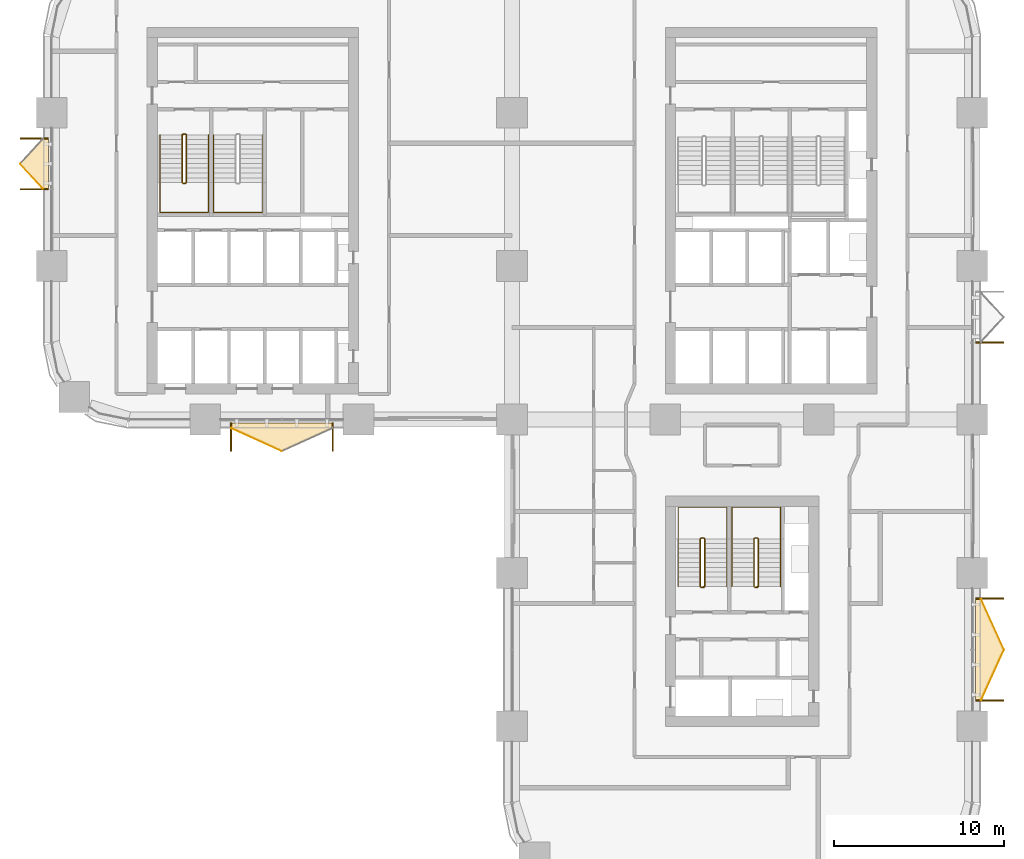
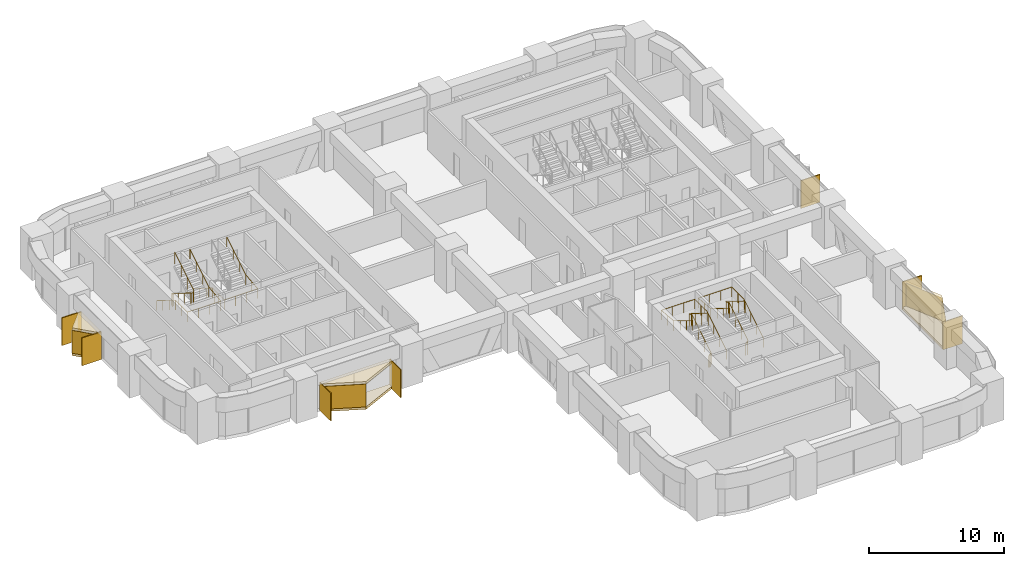
# One storey, part 17 of 18: 17 coverings, 7 railings.
"""IFC4 building model written with IfcOpenShell, lengths in metres."""

import ifcopenshell
import ifcopenshell.guid

model = None  # the IFC model being written
_history = None  # IfcOwnerHistory: only IFC2X3 demands one
_inside = {}  # id of a spatial element -> (the spatial element, [elements in it])
_under = {}  # id of a project, library or spatial element -> (it, [spatial elements below it])
_declared = {}  # id of a project -> (the project, [libraries it declares])
_typed = {}  # id of a type object -> (the type object, [elements of that type])
_made_of = {}  # id of a material, layer set ... -> (it, [elements and type objects made of it])


def new_model(schema):
    """Start an empty IFC model of exactly this schema.

    Asked for "IFC4X3", IfcOpenShell would pick the latest addendum, in which some entities
    have other attributes; the version numbers below select the first issue.
    IFC2X3 requires an IfcOwnerHistory on every rooted entity: one is made here for all.
    """
    global model, _history
    if schema == "IFC4X3":
        model = ifcopenshell.file(schema_version=(4, 3, 0, 0))
    else:
        model = ifcopenshell.file(schema=schema)
    _inside.clear()
    _under.clear()
    _declared.clear()
    _typed.clear()
    _made_of.clear()
    _history = None
    if model.schema == "IFC2X3":
        org = make("IfcOrganization", Name="unknown")
        user = make(
            "IfcPersonAndOrganization",
            ThePerson=make("IfcPerson", FamilyName="unknown"),
            TheOrganization=org,
        )
        app = make(
            "IfcApplication",
            ApplicationDeveloper=org,
            Version="unknown",
            ApplicationFullName="unknown",
            ApplicationIdentifier="unknown",
        )
        _history = make(
            "IfcOwnerHistory",
            OwningUser=user,
            OwningApplication=app,
            ChangeAction="ADDED",
            CreationDate=0,
        )
    return model


def make(cls, **values):
    """One entity of the class cls with the attributes given. An attribute that is None is left unset."""
    return model.create_entity(
        cls, **{name: value for name, value in values.items() if value is not None}
    )


def rooted(cls, **values):
    """An entity with a GlobalId (a new one), such as an element, a storey or a relation."""
    return make(cls, GlobalId=ifcopenshell.guid.new(), OwnerHistory=_history, **values)


def si_unit(unit_type, name, prefix=None):
    """IfcSIUnit, for example si_unit("LENGTHUNIT", "METRE", prefix="MILLI")."""
    return make("IfcSIUnit", UnitType=unit_type, Prefix=prefix, Name=name)


def assignment(units):
    """IfcUnitAssignment: the units of a project."""
    return None if units is None else make("IfcUnitAssignment", Units=units)


def point(xyz):
    """IfcCartesianPoint."""
    return None if xyz is None else make("IfcCartesianPoint", Coordinates=xyz)


def direction(xyz):
    """IfcDirection."""
    return None if xyz is None else make("IfcDirection", DirectionRatios=xyz)


def frame(location, z_axis=None, x_axis=None):
    """IfcAxis2Placement3D, a coordinate frame: its origin and axes. An axis left out is left unset."""
    return make(
        "IfcAxis2Placement3D",
        Location=point(location),
        Axis=direction(z_axis),
        RefDirection=direction(x_axis),
    )


def frame_2d(location, x_axis=None):
    """IfcAxis2Placement2D, a coordinate frame in the plane: its origin and x axis."""
    return make(
        "IfcAxis2Placement2D", Location=point(location), RefDirection=direction(x_axis)
    )


def origin():
    """The frame at (0, 0, 0) with its axes left unset."""
    return frame((0.0, 0.0, 0.0))


def origin_2d():
    """The frame at (0, 0) in the plane with its x axis left unset."""
    return frame_2d((0.0, 0.0))


def place(relative_to, where):
    """IfcLocalPlacement: puts the frame where relative to a parent placement (None: the world)."""
    return make(
        "IfcLocalPlacement", PlacementRelTo=relative_to, RelativePlacement=where
    )


def context(
    kind, dimensions, precision=None, world=None, true_north=None, identifier=None
):
    """IfcGeometricRepresentationContext, for example the 3D "Model" context."""
    return make(
        "IfcGeometricRepresentationContext",
        ContextIdentifier=identifier,
        ContextType=kind,
        CoordinateSpaceDimension=dimensions,
        Precision=precision,
        WorldCoordinateSystem=world,
        TrueNorth=true_north,
    )


def subcontext(parent, identifier, kind, view, scale=None):
    """IfcGeometricRepresentationSubContext, for example "Body" below "Model"."""
    return make(
        "IfcGeometricRepresentationSubContext",
        ContextIdentifier=identifier,
        ContextType=kind,
        ParentContext=parent,
        TargetScale=scale,
        TargetView=view,
    )


def project(units=None, contexts=None):
    """IfcProject with its units and contexts."""
    return rooted(
        "IfcProject",
        Name="project",
        RepresentationContexts=contexts,
        UnitsInContext=assignment(units),
    )


def spatial(cls, under=None, at=None, **own):
    """A site, building, storey or space (cls), placed at a placement, below another one or the project."""
    s = rooted(cls, ObjectPlacement=at, **own)
    if under is not None:
        _under.setdefault(under.id(), (under, []))[1].append(s)
    return s


def polyline(points):
    """IfcPolyline through the points."""
    return make("IfcPolyline", Points=[point(p) for p in points])


def profile(cls, at=None, kind="AREA", **sizes):
    """A parametric profile (cls). Its sizes go by their IFC names, for example OverallWidth=200.0."""
    return make(cls, ProfileType=kind, Position=at, **sizes)


def rectangle(**sizes):
    """IfcRectangleProfileDef."""
    return profile("IfcRectangleProfileDef", **sizes)


def circle(**sizes):
    """IfcCircleProfileDef."""
    return profile("IfcCircleProfileDef", **sizes)


def outline(outer, holes=None, kind="AREA"):
    """IfcArbitraryClosedProfileDef: a profile drawn as a closed curve; with holes, ...WithVoids."""
    if holes is None:
        return make("IfcArbitraryClosedProfileDef", ProfileType=kind, OuterCurve=outer)
    return make(
        "IfcArbitraryProfileDefWithVoids",
        ProfileType=kind,
        OuterCurve=outer,
        InnerCurves=holes,
    )


def extrude(swept, where, along, depth):
    """IfcExtrudedAreaSolid: the profile swept, set in the frame where, extruded along a direction by depth."""
    return make(
        "IfcExtrudedAreaSolid",
        SweptArea=swept,
        Position=where,
        ExtrudedDirection=direction(along),
        Depth=depth,
    )


def shape(context_of_items, identifier, shape_type, items):
    """IfcShapeRepresentation: the items that make up one representation, for example the "Body"."""
    return make(
        "IfcShapeRepresentation",
        ContextOfItems=context_of_items,
        RepresentationIdentifier=identifier,
        RepresentationType=shape_type,
        Items=items,
    )


def material(Name=None, Category=None):
    """IfcMaterial."""
    return make("IfcMaterial", Name=Name, Category=Category)


def layer(
    of_material, thickness, ventilated=None, Name=None, Category=None, Priority=None
):
    """IfcMaterialLayer: one layer of a wall or slab, of a material (None: an air gap)."""
    return make(
        "IfcMaterialLayer",
        Material=of_material,
        LayerThickness=thickness,
        IsVentilated=ventilated,
        Name=Name,
        Category=Category,
        Priority=Priority,
    )


def layer_set(layers, Name=None):
    """IfcMaterialLayerSet."""
    return make("IfcMaterialLayerSet", MaterialLayers=layers, LayerSetName=Name)


def made_of(thing, what):
    """Note that an element or type object is made of a material, layer set ...; save() writes the relation."""
    if what is not None:
        _made_of.setdefault(what.id(), (what, []))[1].append(thing)
    return thing


def type_object(cls, material=None, **own):
    """A type object (cls), such as IfcWallType, which elements share."""
    return made_of(rooted(cls, **own), material)


def element(
    cls,
    number,
    at=None,
    inside=None,
    cuts=None,
    type_object=None,
    material=None,
    context=None,
    identifier="Body",
    shape_type=None,
    held_by="IfcProductDefinitionShape",
    body=None,
    shapes=None,
    **own,
):
    """One element of the class cls, such as IfcWall. Its Tag is "e" and its number.

    at: its placement. inside: the storey or other place that contains it. cuts: it is an
    opening in that element (IfcRelVoidsElement). A single representation is given by context,
    identifier, shape_type and body (its items); several are given by shapes. held_by: the class
    of the entity that holds the representations. save() writes the other relations.
    """
    e = rooted(cls, Tag="e%d" % number, ObjectPlacement=at, **own)
    if body is not None:
        shapes = [shape(context, identifier, shape_type, body)]
    if shapes is not None:
        e.Representation = make(held_by, Representations=shapes)
    if inside is not None:
        _inside.setdefault(inside.id(), (inside, []))[1].append(e)
    if cuts is not None:
        rooted(
            "IfcRelVoidsElement", RelatingBuildingElement=cuts, RelatedOpeningElement=e
        )
    if type_object is not None:
        _typed.setdefault(type_object.id(), (type_object, []))[1].append(e)
    return made_of(e, material)


def aggregate(whole, parts):
    """IfcRelAggregates: a whole, such as a stair, and the parts it consists of."""
    return rooted("IfcRelAggregates", RelatingObject=whole, RelatedObjects=parts)


def save(model, path):
    """Write the relations noted so far, then the file.

    IfcRelAggregates (storeys below a building ...), IfcRelContainedInSpatialStructure (elements
    in a storey), IfcRelDefinesByType, IfcRelAssociatesMaterial and IfcRelDeclares: one each for
    every whole, place, type object, material and project.
    """
    for whole, parts in _under.values():
        aggregate(whole, parts)
    for where, things in _inside.values():
        rooted(
            "IfcRelContainedInSpatialStructure",
            RelatedElements=things,
            RelatingStructure=where,
        )
    for kind, things in _typed.values():
        rooted("IfcRelDefinesByType", RelatedObjects=things, RelatingType=kind)
    for what, things in _made_of.values():
        rooted("IfcRelAssociatesMaterial", RelatedObjects=things, RelatingMaterial=what)
    for by, libraries in _declared.values():
        rooted("IfcRelDeclares", RelatingContext=by, RelatedDefinitions=libraries)
    model.write(path)


model = new_model("IFC4")

# Units and contexts
model_context = context("Model", 3, precision=1e-05, world=origin(), true_north=direction((0.0, 1.0)))
body_context = subcontext(model_context, "Body", "Model", "MODEL_VIEW")
ifc_project = project(units=[si_unit("LENGTHUNIT", "METRE"), si_unit("AREAUNIT", "SQUARE_METRE"), si_unit("VOLUMEUNIT", "CUBIC_METRE"), si_unit("PLANEANGLEUNIT", "RADIAN"), si_unit("MASSUNIT", "GRAM", prefix="KILO")], contexts=[model_context])

# Site, building, storey
site_placement = place(None, origin())
site = spatial("IfcSite", under=ifc_project, at=site_placement, CompositionType="ELEMENT")
building_placement = place(site_placement, origin())
building = spatial("IfcBuilding", under=site, at=building_placement, Name="Tessera Arch", CompositionType="ELEMENT")
storey_placement = place(building_placement, frame((0.0, 0.0, 89.199951171875)))
storey = spatial("IfcBuildingStorey", under=building, at=storey_placement, Name="L20", CompositionType="ELEMENT", Elevation=89.199951171875)

# Railings
ifc_material_1 = material(Name="Painted steel balustrade", Category="steel")
railing_type_1 = type_object("IfcRailingType", Name="Stair guard 1100", PredefinedType="GUARDRAIL", material=ifc_material_1)
railing_1_placement = place(storey_placement, frame((7.699951171875, 43.75, 0.0)))
element("IfcRailing", 1, at=railing_1_placement, inside=storey, type_object=railing_type_1, Name="L20 S2a stair guard 1", PredefinedType="GUARDRAIL", context=body_context, shape_type="SweptSolid", body=[
    extrude(circle(Radius=0.02392578125, at=origin_2d()), frame((-0.00390625, 0.0, 1.076171875), z_axis=(1.0, 0.0, 0.0), x_axis=(0.0, 1.0, 0.0)), (0.0, 0.0, 1.0), 0.158203125),
    extrude(circle(Radius=0.02392578125, at=origin_2d()), frame((0.153076171875, 0.000732421875, 1.073486328125), z_axis=(-0.743708266585, -0.185927066646, 0.642128600905), x_axis=(0.242535625036, -0.970142500145, 0.0)), (0.0, 0.0, 1.0), 0.277099609375),
    extrude(circle(Radius=0.02392578125, at=origin_2d()), frame((-0.050048828125, -0.046630859375, 1.246826171875), z_axis=(0.0, -0.851089632645, 0.525020415988), x_axis=(1.0, 0.0, 0.0)), (0.0, 0.0, 1.0), 3.2978515625),
    extrude(circle(Radius=0.02392578125, at=origin_2d()), frame((-0.052978515625, -2.84716796875, 2.97607421875), z_axis=(0.708833529934, -0.705375805398, 0.0), x_axis=(0.705375805398, 0.708833529934, 0.0)), (0.0, 0.0, 1.0), 0.07861328125),
    extrude(circle(Radius=0.02392578125, at=origin_2d()), frame((-0.00390625, -2.89990234375, 2.97607421875), z_axis=(1.0, 0.0, 0.0), x_axis=(0.0, 1.0, 0.0)), (0.0, 0.0, 1.0), 0.158203125),
    extrude(circle(Radius=0.02392578125, at=origin_2d()), frame((0.149169921875, -2.90087890625, 2.972412109375), z_axis=(0.26715648603, 0.26715648603, 0.925880566782), x_axis=(-0.707106781187, 0.707106781187, 0.0)), (0.0, 0.0, 1.0), 0.1943359375),
    extrude(circle(Radius=0.02392578125, at=origin_2d()), frame((0.199951171875, -2.853515625, 3.146728515625), z_axis=(0.0, 0.851089632645, 0.525020415988), x_axis=(-1.0, 0.0, 0.0)), (0.0, 0.0, 1.0), 3.2978515625),
    extrude(circle(Radius=0.02099609375, at=origin_2d()), origin(), (0.0, 0.0, 1.0), 1.06396484375),
    extrude(circle(Radius=0.02099609375, at=origin_2d()), frame((0.150146484375, 0.0, 0.0)), (0.0, 0.0, 1.0), 1.06396484375),
    extrude(circle(Radius=0.02099609375, at=origin_2d()), frame((-0.050048828125, -0.050048828125, 0.1728515625)), (0.0, 0.0, 1.0), 1.06396484375),
    extrude(circle(Radius=0.02099609375, at=origin_2d()), frame((-0.050048828125, -0.9833984375, 0.74853515625)), (0.0, 0.0, 1.0), 1.06396484375),
    extrude(circle(Radius=0.02099609375, at=origin_2d()), frame((-0.050048828125, -1.916748046875, 1.324462890625)), (0.0, 0.0, 1.0), 1.06396484375),
    extrude(circle(Radius=0.02099609375, at=origin_2d()), frame((-0.050048828125, -2.85009765625, 1.900146484375)), (0.0, 0.0, 1.0), 1.06396484375),
    extrude(circle(Radius=0.02099609375, at=origin_2d()), frame((0.0, -2.89990234375, 1.900146484375)), (0.0, 0.0, 1.0), 1.06396484375),
    extrude(circle(Radius=0.02099609375, at=origin_2d()), frame((0.150146484375, -2.89990234375, 1.900146484375)), (0.0, 0.0, 1.0), 1.06396484375),
    extrude(circle(Radius=0.02099609375, at=origin_2d()), frame((0.199951171875, -2.85009765625, 2.07275390625)), (0.0, 0.0, 1.0), 1.06396484375),
    extrude(circle(Radius=0.02099609375, at=origin_2d()), frame((0.199951171875, -1.916748046875, 2.6484375)), (0.0, 0.0, 1.0), 1.06396484375),
    extrude(circle(Radius=0.02099609375, at=origin_2d()), frame((0.199951171875, -0.9833984375, 3.224365234375)), (0.0, 0.0, 1.0), 1.06396484375),
    extrude(circle(Radius=0.02099609375, at=origin_2d()), frame((0.199951171875, -0.050048828125, 3.800048828125)), (0.0, 0.0, 1.0), 1.06396484375),
])
railing_2_placement = place(storey_placement, frame((38.25, 17.14990234375, 0.0)))
element("IfcRailing", 2, at=railing_2_placement, inside=storey, type_object=railing_type_1, Name="L20 S3a stair guard 1", PredefinedType="GUARDRAIL", context=body_context, shape_type="SweptSolid", body=[
    extrude(circle(Radius=0.02392578125, at=origin_2d()), frame((0.00390625, 0.0, 1.076171875), z_axis=(-1.0, 0.0, 0.0), x_axis=(0.0, -1.0, 0.0)), (0.0, 0.0, 1.0), 0.157958984375),
    extrude(circle(Radius=0.02392578125, at=origin_2d()), frame((-0.15283203125, -0.000732421875, 1.073486328125), z_axis=(0.743302536996, 0.186052527575, 0.642561900114), x_axis=(-0.242814311512, 0.970072785993, 0.0)), (0.0, 0.0, 1.0), 0.277099609375),
    extrude(circle(Radius=0.02392578125, at=origin_2d()), frame((0.050048828125, 0.046630859375, 1.246826171875), z_axis=(0.0, 0.851089632645, 0.525020415988), x_axis=(-1.0, 0.0, 0.0)), (0.0, 0.0, 1.0), 3.2978515625),
    extrude(circle(Radius=0.02392578125, at=origin_2d()), frame((0.052978515625, 2.84716796875, 2.97607421875), z_axis=(-0.707106781187, 0.707106781187, 0.0), x_axis=(-0.707106781187, -0.707106781187, 0.0)), (0.0, 0.0, 1.0), 0.078857421875),
    extrude(circle(Radius=0.02392578125, at=origin_2d()), frame((0.00390625, 2.900146484375, 2.97607421875), z_axis=(-1.0, 0.0, 0.0), x_axis=(0.0, -1.0, 0.0)), (0.0, 0.0, 1.0), 0.157958984375),
    extrude(circle(Radius=0.02392578125, at=origin_2d()), frame((-0.14892578125, 2.901123046875, 2.972412109375), z_axis=(-0.268277960024, -0.268277960024, 0.925231793839), x_axis=(0.707106781187, -0.707106781187, 0.0)), (0.0, 0.0, 1.0), 0.194580078125),
    extrude(circle(Radius=0.02392578125, at=origin_2d()), frame((-0.199951171875, 2.853515625, 3.146728515625), z_axis=(0.0, -0.851089632645, 0.525020415988), x_axis=(1.0, 0.0, 0.0)), (0.0, 0.0, 1.0), 3.2978515625),
    extrude(circle(Radius=0.02099609375, at=origin_2d()), origin(), (0.0, 0.0, 1.0), 1.06396484375),
    extrude(circle(Radius=0.02099609375, at=origin_2d()), frame((-0.14990234375, 0.0, 0.0)), (0.0, 0.0, 1.0), 1.06396484375),
    extrude(circle(Radius=0.02099609375, at=origin_2d()), frame((0.050048828125, 0.050048828125, 0.1728515625)), (0.0, 0.0, 1.0), 1.06396484375),
    extrude(circle(Radius=0.02099609375, at=origin_2d()), frame((0.050048828125, 0.9833984375, 0.74853515625)), (0.0, 0.0, 1.0), 1.06396484375),
    extrude(circle(Radius=0.02099609375, at=origin_2d()), frame((0.050048828125, 1.916748046875, 1.324462890625)), (0.0, 0.0, 1.0), 1.06396484375),
    extrude(circle(Radius=0.02099609375, at=origin_2d()), frame((0.050048828125, 2.85009765625, 1.900146484375)), (0.0, 0.0, 1.0), 1.06396484375),
    extrude(circle(Radius=0.02099609375, at=origin_2d()), frame((0.0, 2.900146484375, 1.900146484375)), (0.0, 0.0, 1.0), 1.06396484375),
    extrude(circle(Radius=0.02099609375, at=origin_2d()), frame((-0.14990234375, 2.900146484375, 1.900146484375)), (0.0, 0.0, 1.0), 1.06396484375),
    extrude(circle(Radius=0.02099609375, at=origin_2d()), frame((-0.199951171875, 2.85009765625, 2.07275390625)), (0.0, 0.0, 1.0), 1.06396484375),
    extrude(circle(Radius=0.02099609375, at=origin_2d()), frame((-0.199951171875, 1.916748046875, 2.6484375)), (0.0, 0.0, 1.0), 1.06396484375),
    extrude(circle(Radius=0.02099609375, at=origin_2d()), frame((-0.199951171875, 0.9833984375, 3.224365234375)), (0.0, 0.0, 1.0), 1.06396484375),
    extrude(circle(Radius=0.02099609375, at=origin_2d()), frame((-0.199951171875, 0.050048828125, 3.800048828125)), (0.0, 0.0, 1.0), 1.06396484375),
])
railing_3_placement = place(storey_placement, frame((41.39990234375, 17.14990234375, 0.0)))
element("IfcRailing", 3, at=railing_3_placement, inside=storey, type_object=railing_type_1, Name="L20 S3b stair guard 1", PredefinedType="GUARDRAIL", context=body_context, shape_type="SweptSolid", body=[
    extrude(circle(Radius=0.02392578125, at=origin_2d()), frame((0.00390625, 0.0, 1.076171875), z_axis=(-1.0, 0.0, 0.0), x_axis=(0.0, -1.0, 0.0)), (0.0, 0.0, 1.0), 0.157958984375),
    extrude(circle(Radius=0.02392578125, at=origin_2d()), frame((-0.15283203125, -0.000732421875, 1.073486328125), z_axis=(0.743302536996, 0.186052527575, 0.642561900114), x_axis=(-0.242814311512, 0.970072785993, 0.0)), (0.0, 0.0, 1.0), 0.277099609375),
    extrude(circle(Radius=0.02392578125, at=origin_2d()), frame((0.050048828125, 0.046630859375, 1.246826171875), z_axis=(0.0, 0.851089632645, 0.525020415988), x_axis=(-1.0, 0.0, 0.0)), (0.0, 0.0, 1.0), 3.2978515625),
    extrude(circle(Radius=0.02392578125, at=origin_2d()), frame((0.052978515625, 2.84716796875, 2.97607421875), z_axis=(-0.707106781187, 0.707106781187, 0.0), x_axis=(-0.707106781187, -0.707106781187, 0.0)), (0.0, 0.0, 1.0), 0.078857421875),
    extrude(circle(Radius=0.02392578125, at=origin_2d()), frame((0.00390625, 2.900146484375, 2.97607421875), z_axis=(-1.0, 0.0, 0.0), x_axis=(0.0, -1.0, 0.0)), (0.0, 0.0, 1.0), 0.157958984375),
    extrude(circle(Radius=0.02392578125, at=origin_2d()), frame((-0.14892578125, 2.901123046875, 2.972412109375), z_axis=(-0.268277960024, -0.268277960024, 0.925231793839), x_axis=(0.707106781187, -0.707106781187, 0.0)), (0.0, 0.0, 1.0), 0.194580078125),
    extrude(circle(Radius=0.02392578125, at=origin_2d()), frame((-0.199951171875, 2.853515625, 3.146728515625), z_axis=(0.0, -0.851089632645, 0.525020415988), x_axis=(1.0, 0.0, 0.0)), (0.0, 0.0, 1.0), 3.2978515625),
    extrude(circle(Radius=0.02099609375, at=origin_2d()), origin(), (0.0, 0.0, 1.0), 1.06396484375),
    extrude(circle(Radius=0.02099609375, at=origin_2d()), frame((-0.14990234375, 0.0, 0.0)), (0.0, 0.0, 1.0), 1.06396484375),
    extrude(circle(Radius=0.02099609375, at=origin_2d()), frame((0.050048828125, 0.050048828125, 0.1728515625)), (0.0, 0.0, 1.0), 1.06396484375),
    extrude(circle(Radius=0.02099609375, at=origin_2d()), frame((0.050048828125, 0.9833984375, 0.74853515625)), (0.0, 0.0, 1.0), 1.06396484375),
    extrude(circle(Radius=0.02099609375, at=origin_2d()), frame((0.050048828125, 1.916748046875, 1.324462890625)), (0.0, 0.0, 1.0), 1.06396484375),
    extrude(circle(Radius=0.02099609375, at=origin_2d()), frame((0.050048828125, 2.85009765625, 1.900146484375)), (0.0, 0.0, 1.0), 1.06396484375),
    extrude(circle(Radius=0.02099609375, at=origin_2d()), frame((0.0, 2.900146484375, 1.900146484375)), (0.0, 0.0, 1.0), 1.06396484375),
    extrude(circle(Radius=0.02099609375, at=origin_2d()), frame((-0.14990234375, 2.900146484375, 1.900146484375)), (0.0, 0.0, 1.0), 1.06396484375),
    extrude(circle(Radius=0.02099609375, at=origin_2d()), frame((-0.199951171875, 2.85009765625, 2.07275390625)), (0.0, 0.0, 1.0), 1.06396484375),
    extrude(circle(Radius=0.02099609375, at=origin_2d()), frame((-0.199951171875, 1.916748046875, 2.6484375)), (0.0, 0.0, 1.0), 1.06396484375),
    extrude(circle(Radius=0.02099609375, at=origin_2d()), frame((-0.199951171875, 0.9833984375, 3.224365234375)), (0.0, 0.0, 1.0), 1.06396484375),
    extrude(circle(Radius=0.02099609375, at=origin_2d()), frame((-0.199951171875, 0.050048828125, 3.800048828125)), (0.0, 0.0, 1.0), 1.06396484375),
])
ifc_material_2 = material(Name="Painted steel handrail", Category="steel")
railing_type_2 = type_object("IfcRailingType", Name="Stair handrail 900", PredefinedType="HANDRAIL", material=ifc_material_2)
railing_4_placement = place(storey_placement, frame((6.35009765625, 43.699951171875, 0.1728515625)))
element("IfcRailing", 4, at=railing_4_placement, inside=storey, type_object=railing_type_2, Name="L20 S2a stair handrail", PredefinedType="HANDRAIL", context=body_context, shape_type="SweptSolid", body=[
    extrude(circle(Radius=0.02392578125, at=origin_2d()), frame((0.0, 0.00341796875, 0.873779296875), z_axis=(0.0, -0.851089632645, 0.525020415988), x_axis=(1.0, 0.0, 0.0)), (0.0, 0.0, 1.0), 3.2978515625),
    extrude(circle(Radius=0.02392578125, at=origin_2d()), frame((0.0, -2.796142578125, 2.60302734375), z_axis=(0.0, -1.0, 0.0), x_axis=(1.0, 0.0, 0.0)), (0.0, 0.0, 1.0), 1.758056640625),
    extrude(circle(Radius=0.02392578125, at=origin_2d()), frame((-0.00390625, -4.550048828125, 2.60302734375), z_axis=(1.0, 0.0, 0.0), x_axis=(0.0, 1.0, 0.0)), (0.0, 0.0, 1.0), 2.85791015625),
    extrude(circle(Radius=0.02392578125, at=origin_2d()), frame((2.849853515625, -4.553955078125, 2.602783203125), z_axis=(0.0, 0.995170989745, 0.098156513637), x_axis=(-1.0, 0.0, 0.0)), (0.0, 0.0, 1.0), 1.7666015625),
    extrude(circle(Radius=0.02392578125, at=origin_2d()), frame((2.849853515625, -2.803466796875, 2.773681640625), z_axis=(0.0, 0.851089632645, 0.525020415988), x_axis=(-1.0, 0.0, 0.0)), (0.0, 0.0, 1.0), 3.2978515625),
    extrude(circle(Radius=0.02099609375, at=origin_2d()), origin(), (0.0, 0.0, 1.0), 0.86376953125),
    extrude(circle(Radius=0.02099609375, at=origin_2d()), frame((0.0, -0.933349609375, 0.57568359375)), (0.0, 0.0, 1.0), 0.86376953125),
    extrude(circle(Radius=0.02099609375, at=origin_2d()), frame((0.0, -1.86669921875, 1.151611328125)), (0.0, 0.0, 1.0), 0.86376953125),
    extrude(circle(Radius=0.02099609375, at=origin_2d()), frame((0.0, -2.800048828125, 1.727294921875)), (0.0, 0.0, 1.0), 0.86376953125),
    extrude(circle(Radius=0.02099609375, at=origin_2d()), frame((0.0, -3.675048828125, 1.727294921875)), (0.0, 0.0, 1.0), 0.86376953125),
    extrude(circle(Radius=0.02099609375, at=origin_2d()), frame((0.0, -4.550048828125, 1.727294921875)), (0.0, 0.0, 1.0), 0.86376953125),
    extrude(circle(Radius=0.02099609375, at=origin_2d()), frame((0.949951171875, -4.550048828125, 1.727294921875)), (0.0, 0.0, 1.0), 0.86376953125),
    extrude(circle(Radius=0.02099609375, at=origin_2d()), frame((1.89990234375, -4.550048828125, 1.727294921875)), (0.0, 0.0, 1.0), 0.86376953125),
    extrude(circle(Radius=0.02099609375, at=origin_2d()), frame((2.849853515625, -4.550048828125, 1.727294921875)), (0.0, 0.0, 1.0), 0.86376953125),
    extrude(circle(Radius=0.02099609375, at=origin_2d()), frame((2.849853515625, -3.675048828125, 1.8134765625)), (0.0, 0.0, 1.0), 0.86376953125),
    extrude(circle(Radius=0.02099609375, at=origin_2d()), frame((2.849853515625, -2.800048828125, 1.89990234375)), (0.0, 0.0, 1.0), 0.86376953125),
    extrude(circle(Radius=0.02099609375, at=origin_2d()), frame((2.849853515625, -1.86669921875, 2.4755859375)), (0.0, 0.0, 1.0), 0.86376953125),
    extrude(circle(Radius=0.02099609375, at=origin_2d()), frame((2.849853515625, -0.933349609375, 3.051513671875)), (0.0, 0.0, 1.0), 0.86376953125),
    extrude(circle(Radius=0.02099609375, at=origin_2d()), frame((2.849853515625, 0.0, 3.627197265625)), (0.0, 0.0, 1.0), 0.86376953125),
])
railing_5_placement = place(storey_placement, frame((9.5, 43.699951171875, 0.1728515625)))
element("IfcRailing", 5, at=railing_5_placement, inside=storey, type_object=railing_type_2, Name="L20 S2b stair handrail", PredefinedType="HANDRAIL", context=body_context, shape_type="SweptSolid", body=[
    extrude(circle(Radius=0.02392578125, at=origin_2d()), frame((0.0, 0.00341796875, 0.873779296875), z_axis=(0.0, -0.851089632645, 0.525020415988), x_axis=(1.0, 0.0, 0.0)), (0.0, 0.0, 1.0), 3.2978515625),
    extrude(circle(Radius=0.02392578125, at=origin_2d()), frame((0.0, -2.796142578125, 2.60302734375), z_axis=(0.0, -1.0, 0.0), x_axis=(1.0, 0.0, 0.0)), (0.0, 0.0, 1.0), 1.758056640625),
    extrude(circle(Radius=0.02392578125, at=origin_2d()), frame((-0.00390625, -4.550048828125, 2.60302734375), z_axis=(1.0, 0.0, 0.0), x_axis=(0.0, 1.0, 0.0)), (0.0, 0.0, 1.0), 2.858154296875),
    extrude(circle(Radius=0.02392578125, at=origin_2d()), frame((2.85009765625, -4.553955078125, 2.602783203125), z_axis=(0.0, 0.995170989745, 0.098156513637), x_axis=(-1.0, 0.0, 0.0)), (0.0, 0.0, 1.0), 1.7666015625),
    extrude(circle(Radius=0.02392578125, at=origin_2d()), frame((2.85009765625, -2.803466796875, 2.773681640625), z_axis=(0.0, 0.851089632645, 0.525020415988), x_axis=(-1.0, 0.0, 0.0)), (0.0, 0.0, 1.0), 3.2978515625),
    extrude(circle(Radius=0.02099609375, at=origin_2d()), origin(), (0.0, 0.0, 1.0), 0.86376953125),
    extrude(circle(Radius=0.02099609375, at=origin_2d()), frame((0.0, -0.933349609375, 0.57568359375)), (0.0, 0.0, 1.0), 0.86376953125),
    extrude(circle(Radius=0.02099609375, at=origin_2d()), frame((0.0, -1.86669921875, 1.151611328125)), (0.0, 0.0, 1.0), 0.86376953125),
    extrude(circle(Radius=0.02099609375, at=origin_2d()), frame((0.0, -2.800048828125, 1.727294921875)), (0.0, 0.0, 1.0), 0.86376953125),
    extrude(circle(Radius=0.02099609375, at=origin_2d()), frame((0.0, -3.675048828125, 1.727294921875)), (0.0, 0.0, 1.0), 0.86376953125),
    extrude(circle(Radius=0.02099609375, at=origin_2d()), frame((0.0, -4.550048828125, 1.727294921875)), (0.0, 0.0, 1.0), 0.86376953125),
    extrude(circle(Radius=0.02099609375, at=origin_2d()), frame((0.949951171875, -4.550048828125, 1.727294921875)), (0.0, 0.0, 1.0), 0.86376953125),
    extrude(circle(Radius=0.02099609375, at=origin_2d()), frame((1.900146484375, -4.550048828125, 1.727294921875)), (0.0, 0.0, 1.0), 0.86376953125),
    extrude(circle(Radius=0.02099609375, at=origin_2d()), frame((2.85009765625, -4.550048828125, 1.727294921875)), (0.0, 0.0, 1.0), 0.86376953125),
    extrude(circle(Radius=0.02099609375, at=origin_2d()), frame((2.85009765625, -3.675048828125, 1.8134765625)), (0.0, 0.0, 1.0), 0.86376953125),
    extrude(circle(Radius=0.02099609375, at=origin_2d()), frame((2.85009765625, -2.800048828125, 1.89990234375)), (0.0, 0.0, 1.0), 0.86376953125),
    extrude(circle(Radius=0.02099609375, at=origin_2d()), frame((2.85009765625, -1.86669921875, 2.4755859375)), (0.0, 0.0, 1.0), 0.86376953125),
    extrude(circle(Radius=0.02099609375, at=origin_2d()), frame((2.85009765625, -0.933349609375, 3.051513671875)), (0.0, 0.0, 1.0), 0.86376953125),
    extrude(circle(Radius=0.02099609375, at=origin_2d()), frame((2.85009765625, 0.0, 3.627197265625)), (0.0, 0.0, 1.0), 0.86376953125),
])
railing_6_placement = place(storey_placement, frame((39.60009765625, 17.199951171875, 0.1728515625)))
element("IfcRailing", 6, at=railing_6_placement, inside=storey, type_object=railing_type_2, Name="L20 S3a stair handrail", PredefinedType="HANDRAIL", context=body_context, shape_type="SweptSolid", body=[
    extrude(circle(Radius=0.02392578125, at=origin_2d()), frame((0.0, -0.00341796875, 0.873779296875), z_axis=(0.0, 0.851089632645, 0.525020415988), x_axis=(-1.0, 0.0, 0.0)), (0.0, 0.0, 1.0), 3.2978515625),
    extrude(circle(Radius=0.02392578125, at=origin_2d()), frame((0.0, 2.796142578125, 2.60302734375), z_axis=(0.0, 1.0, 0.0), x_axis=(-1.0, 0.0, 0.0)), (0.0, 0.0, 1.0), 1.858154296875),
    extrude(circle(Radius=0.02392578125, at=origin_2d()), frame((0.00390625, 4.650146484375, 2.60302734375), z_axis=(-1.0, 0.0, 0.0), x_axis=(0.0, -1.0, 0.0)), (0.0, 0.0, 1.0), 2.858154296875),
    extrude(circle(Radius=0.02392578125, at=origin_2d()), frame((-2.85009765625, 4.654052734375, 2.602783203125), z_axis=(0.0, -0.995676099079, 0.092892979948), x_axis=(1.0, 0.0, 0.0)), (0.0, 0.0, 1.0), 1.8662109375),
    extrude(circle(Radius=0.02392578125, at=origin_2d()), frame((-2.85009765625, 2.803466796875, 2.773681640625), z_axis=(0.0, -0.851089632645, 0.525020415988), x_axis=(1.0, 0.0, 0.0)), (0.0, 0.0, 1.0), 3.2978515625),
    extrude(circle(Radius=0.02099609375, at=origin_2d()), origin(), (0.0, 0.0, 1.0), 0.86376953125),
    extrude(circle(Radius=0.02099609375, at=origin_2d()), frame((0.0, 0.933349609375, 0.57568359375)), (0.0, 0.0, 1.0), 0.86376953125),
    extrude(circle(Radius=0.02099609375, at=origin_2d()), frame((0.0, 1.86669921875, 1.151611328125)), (0.0, 0.0, 1.0), 0.86376953125),
    extrude(circle(Radius=0.02099609375, at=origin_2d()), frame((0.0, 2.800048828125, 1.727294921875)), (0.0, 0.0, 1.0), 0.86376953125),
    extrude(circle(Radius=0.02099609375, at=origin_2d()), frame((0.0, 3.72509765625, 1.727294921875)), (0.0, 0.0, 1.0), 0.86376953125),
    extrude(circle(Radius=0.02099609375, at=origin_2d()), frame((0.0, 4.650146484375, 1.727294921875)), (0.0, 0.0, 1.0), 0.86376953125),
    extrude(circle(Radius=0.02099609375, at=origin_2d()), frame((-0.949951171875, 4.650146484375, 1.727294921875)), (0.0, 0.0, 1.0), 0.86376953125),
    extrude(circle(Radius=0.02099609375, at=origin_2d()), frame((-1.900146484375, 4.650146484375, 1.727294921875)), (0.0, 0.0, 1.0), 0.86376953125),
    extrude(circle(Radius=0.02099609375, at=origin_2d()), frame((-2.85009765625, 4.650146484375, 1.727294921875)), (0.0, 0.0, 1.0), 0.86376953125),
    extrude(circle(Radius=0.02099609375, at=origin_2d()), frame((-2.85009765625, 3.72509765625, 1.8134765625)), (0.0, 0.0, 1.0), 0.86376953125),
    extrude(circle(Radius=0.02099609375, at=origin_2d()), frame((-2.85009765625, 2.800048828125, 1.89990234375)), (0.0, 0.0, 1.0), 0.86376953125),
    extrude(circle(Radius=0.02099609375, at=origin_2d()), frame((-2.85009765625, 1.86669921875, 2.4755859375)), (0.0, 0.0, 1.0), 0.86376953125),
    extrude(circle(Radius=0.02099609375, at=origin_2d()), frame((-2.85009765625, 0.933349609375, 3.051513671875)), (0.0, 0.0, 1.0), 0.86376953125),
    extrude(circle(Radius=0.02099609375, at=origin_2d()), frame((-2.85009765625, 0.0, 3.627197265625)), (0.0, 0.0, 1.0), 0.86376953125),
])
railing_7_placement = place(storey_placement, frame((42.75, 17.199951171875, 0.1728515625)))
element("IfcRailing", 7, at=railing_7_placement, inside=storey, type_object=railing_type_2, Name="L20 S3b stair handrail", PredefinedType="HANDRAIL", context=body_context, shape_type="SweptSolid", body=[
    extrude(circle(Radius=0.02392578125, at=origin_2d()), frame((0.0, -0.00341796875, 0.873779296875), z_axis=(0.0, 0.851089632645, 0.525020415988), x_axis=(-1.0, 0.0, 0.0)), (0.0, 0.0, 1.0), 3.2978515625),
    extrude(circle(Radius=0.02392578125, at=origin_2d()), frame((0.0, 2.796142578125, 2.60302734375), z_axis=(0.0, 1.0, 0.0), x_axis=(-1.0, 0.0, 0.0)), (0.0, 0.0, 1.0), 1.858154296875),
    extrude(circle(Radius=0.02392578125, at=origin_2d()), frame((0.00390625, 4.650146484375, 2.60302734375), z_axis=(-1.0, 0.0, 0.0), x_axis=(0.0, -1.0, 0.0)), (0.0, 0.0, 1.0), 2.858154296875),
    extrude(circle(Radius=0.02392578125, at=origin_2d()), frame((-2.85009765625, 4.654052734375, 2.602783203125), z_axis=(0.0, -0.995676099079, 0.092892979948), x_axis=(1.0, 0.0, 0.0)), (0.0, 0.0, 1.0), 1.8662109375),
    extrude(circle(Radius=0.02392578125, at=origin_2d()), frame((-2.85009765625, 2.803466796875, 2.773681640625), z_axis=(0.0, -0.851089632645, 0.525020415988), x_axis=(1.0, 0.0, 0.0)), (0.0, 0.0, 1.0), 3.2978515625),
    extrude(circle(Radius=0.02099609375, at=origin_2d()), origin(), (0.0, 0.0, 1.0), 0.86376953125),
    extrude(circle(Radius=0.02099609375, at=origin_2d()), frame((0.0, 0.933349609375, 0.57568359375)), (0.0, 0.0, 1.0), 0.86376953125),
    extrude(circle(Radius=0.02099609375, at=origin_2d()), frame((0.0, 1.86669921875, 1.151611328125)), (0.0, 0.0, 1.0), 0.86376953125),
    extrude(circle(Radius=0.02099609375, at=origin_2d()), frame((0.0, 2.800048828125, 1.727294921875)), (0.0, 0.0, 1.0), 0.86376953125),
    extrude(circle(Radius=0.02099609375, at=origin_2d()), frame((0.0, 3.72509765625, 1.727294921875)), (0.0, 0.0, 1.0), 0.86376953125),
    extrude(circle(Radius=0.02099609375, at=origin_2d()), frame((0.0, 4.650146484375, 1.727294921875)), (0.0, 0.0, 1.0), 0.86376953125),
    extrude(circle(Radius=0.02099609375, at=origin_2d()), frame((-0.949951171875, 4.650146484375, 1.727294921875)), (0.0, 0.0, 1.0), 0.86376953125),
    extrude(circle(Radius=0.02099609375, at=origin_2d()), frame((-1.900146484375, 4.650146484375, 1.727294921875)), (0.0, 0.0, 1.0), 0.86376953125),
    extrude(circle(Radius=0.02099609375, at=origin_2d()), frame((-2.85009765625, 4.650146484375, 1.727294921875)), (0.0, 0.0, 1.0), 0.86376953125),
    extrude(circle(Radius=0.02099609375, at=origin_2d()), frame((-2.85009765625, 3.72509765625, 1.8134765625)), (0.0, 0.0, 1.0), 0.86376953125),
    extrude(circle(Radius=0.02099609375, at=origin_2d()), frame((-2.85009765625, 2.800048828125, 1.89990234375)), (0.0, 0.0, 1.0), 0.86376953125),
    extrude(circle(Radius=0.02099609375, at=origin_2d()), frame((-2.85009765625, 1.86669921875, 2.4755859375)), (0.0, 0.0, 1.0), 0.86376953125),
    extrude(circle(Radius=0.02099609375, at=origin_2d()), frame((-2.85009765625, 0.933349609375, 3.051513671875)), (0.0, 0.0, 1.0), 0.86376953125),
    extrude(circle(Radius=0.02099609375, at=origin_2d()), frame((-2.85009765625, 0.0, 3.627197265625)), (0.0, 0.0, 1.0), 0.86376953125),
])

# Coverings
ifc_material_3 = material(Name="Anodised aluminium pale metal", Category="aluminium")
ifc_layer_1 = layer(ifc_material_3, 0.080078125)
ifc_layer_set_1 = layer_set([ifc_layer_1], Name="Window box cheek")
covering_type_1 = type_object("IfcCoveringType", Name="Window box cheek", PredefinedType="CLADDING", material=ifc_layer_set_1)
covering_1_placement = place(storey_placement, origin())
element("IfcCovering", 8, at=covering_1_placement, inside=storey, type_object=covering_type_1, Name="Window box W0.27/1.0 1x1 cheek", PredefinedType="CLADDING", context=body_context, shape_type="SweptSolid", body=[
    extrude(outline(polyline([(-1.85009765625, 43.530029296875), (-1.85009765625, 43.449951171875), (-0.199951171875, 43.449951171875), (-0.199951171875, 43.530029296875), (-1.85009765625, 43.530029296875)])), origin(), (0.0, 0.0, 1.0), 2.5),
])
covering_2_placement = place(storey_placement, origin())
element("IfcCovering", 9, at=covering_2_placement, inside=storey, type_object=covering_type_1, Name="Window box W0.27/1.0 1x1 cheek", PredefinedType="CLADDING", context=body_context, shape_type="SweptSolid", body=[
    extrude(outline(polyline([(-1.85009765625, 40.550048828125), (-1.85009765625, 40.469970703125), (-0.199951171875, 40.469970703125), (-0.199951171875, 40.550048828125), (-1.85009765625, 40.550048828125)])), origin(), (0.0, 0.0, 1.0), 2.5),
])
covering_3_placement = place(storey_placement, origin())
element("IfcCovering", 10, at=covering_3_placement, inside=storey, type_object=covering_type_1, Name="Window box S27.0/1.0 2x1 cheek", PredefinedType="CLADDING", context=body_context, shape_type="SweptSolid", body=[
    extrude(outline(polyline([(10.469970703125, 25.14990234375), (10.550048828125, 25.14990234375), (10.550048828125, 26.800048828125), (10.469970703125, 26.800048828125), (10.469970703125, 25.14990234375)])), origin(), (0.0, 0.0, 1.0), 2.5),
])
covering_4_placement = place(storey_placement, origin())
element("IfcCovering", 11, at=covering_4_placement, inside=storey, type_object=covering_type_1, Name="Window box S27.0/1.0 2x1 cheek", PredefinedType="CLADDING", context=body_context, shape_type="SweptSolid", body=[
    extrude(outline(polyline([(16.449951171875, 25.14990234375), (16.530029296875, 25.14990234375), (16.530029296875, 26.800048828125), (16.449951171875, 26.800048828125), (16.449951171875, 25.14990234375)])), origin(), (0.0, 0.0, 1.0), 2.5),
])
covering_5_placement = place(storey_placement, origin())
element("IfcCovering", 12, at=covering_5_placement, inside=storey, type_object=covering_type_1, Name="Window box E54.0/3.1 1x1 cheek", PredefinedType="CLADDING", context=body_context, shape_type="SweptSolid", body=[
    extrude(outline(polyline([(55.85009765625, 31.469970703125), (55.85009765625, 31.550048828125), (54.199951171875, 31.550048828125), (54.199951171875, 31.469970703125), (55.85009765625, 31.469970703125)])), origin(), (0.0, 0.0, 1.0), 2.5),
])
covering_6_placement = place(storey_placement, origin())
element("IfcCovering", 13, at=covering_6_placement, inside=storey, type_object=covering_type_1, Name="Window box E54.0/1.0 2x1 cheek", PredefinedType="CLADDING", context=body_context, shape_type="SweptSolid", body=[
    extrude(outline(polyline([(55.85009765625, 10.469970703125), (55.85009765625, 10.550048828125), (54.199951171875, 10.550048828125), (54.199951171875, 10.469970703125), (55.85009765625, 10.469970703125)])), origin(), (0.0, 0.0, 1.0), 2.5),
])
covering_7_placement = place(storey_placement, origin())
element("IfcCovering", 14, at=covering_7_placement, inside=storey, type_object=covering_type_1, Name="Window box E54.0/1.0 2x1 cheek", PredefinedType="CLADDING", context=body_context, shape_type="SweptSolid", body=[
    extrude(outline(polyline([(55.85009765625, 16.449951171875), (55.85009765625, 16.530029296875), (54.199951171875, 16.530029296875), (54.199951171875, 16.449951171875), (55.85009765625, 16.449951171875)])), origin(), (0.0, 0.0, 1.0), 2.5),
])
ifc_material_4 = material(Name="Anodised aluminium cobalt blue", Category="aluminium")
ifc_layer_2 = layer(ifc_material_4, 0.219970703125)
ifc_layer_set_2 = layer_set([ifc_layer_2], Name="Window box frame plate cobalt")
covering_type_2 = type_object("IfcCoveringType", Name="Window box frame plate cobalt", PredefinedType="CLADDING", material=ifc_layer_set_2)
for number, where, name in (
    (15, (0.0, 0.0, 0.0), "Window box S27.0/1.0 2x1 floor"),
    (16, (0.0, 0.0, 2.280029296875), "Window box S27.0/1.0 2x1 roof"),
):
    element("IfcCovering", number, at=place(storey_placement, frame(where)), inside=storey, type_object=covering_type_2, Name=name, PredefinedType="CLADDING", context=body_context, shape_type="SweptSolid", body=[
        extrude(outline(polyline([(10.550048828125, 26.489990234375), (13.5, 25.14990234375), (16.449951171875, 26.489990234375), (16.449951171875, 26.800048828125), (10.550048828125, 26.800048828125), (10.550048828125, 26.489990234375)])), origin(), (0.0, 0.0, 1.0), 0.219970703125),
    ])
ifc_material_5 = material(Name="Anodised aluminium gold", Category="aluminium")
ifc_layer_3 = layer(ifc_material_5, 0.219970703125)
ifc_layer_set_3 = layer_set([ifc_layer_3], Name="Window box frame plate gold")
covering_type_3 = type_object("IfcCoveringType", Name="Window box frame plate gold", PredefinedType="CLADDING", material=ifc_layer_set_3)
for number, where, name in (
    (17, (0.0, 0.0, 0.0), "Window box E54.0/1.0 2x1 floor"),
    (18, (0.0, 0.0, 2.280029296875), "Window box E54.0/1.0 2x1 roof"),
):
    element("IfcCovering", number, at=place(storey_placement, frame(where)), inside=storey, type_object=covering_type_3, Name=name, PredefinedType="CLADDING", context=body_context, shape_type="SweptSolid", body=[
        extrude(outline(polyline([(54.510009765625, 10.550048828125), (55.85009765625, 13.5), (54.510009765625, 16.449951171875), (54.199951171875, 16.449951171875), (54.199951171875, 10.550048828125), (54.510009765625, 10.550048828125)])), origin(), (0.0, 0.0, 1.0), 0.219970703125),
    ])
ifc_material_6 = material(Name="Anodised aluminium pale metal", Category="aluminium")
ifc_layer_4 = layer(ifc_material_6, 0.219970703125)
ifc_layer_set_4 = layer_set([ifc_layer_4], Name="Window box frame plate pale metal")
covering_type_4 = type_object("IfcCoveringType", Name="Window box frame plate pale metal", PredefinedType="CLADDING", material=ifc_layer_set_4)
for number, where, name in (
    (19, (0.0, 0.0, 0.0), "Window box W0.27/1.0 1x1 floor"),
    (20, (0.0, 0.0, 2.280029296875), "Window box W0.27/1.0 1x1 roof"),
):
    element("IfcCovering", number, at=place(storey_placement, frame(where)), inside=storey, type_object=covering_type_4, Name=name, PredefinedType="CLADDING", context=body_context, shape_type="SweptSolid", body=[
        extrude(outline(polyline([(-0.510009765625, 43.449951171875), (-1.85009765625, 42.0), (-0.510009765625, 40.550048828125), (-0.199951171875, 40.550048828125), (-0.199951171875, 43.449951171875), (-0.510009765625, 43.449951171875)])), origin(), (0.0, 0.0, 1.0), 0.219970703125),
    ])
ifc_material_7 = material(Name="Anodised aluminium pale metal", Category="aluminium")
ifc_layer_5 = layer(ifc_material_7, 0.028076171875)
ifc_layer_set_5 = layer_set([ifc_layer_5], Name="Window box side panel")
covering_type_5 = type_object("IfcCoveringType", Name="Window box side panel", PredefinedType="CLADDING", material=ifc_layer_set_5)
covering_8_placement = place(storey_placement, frame((-1.179931640625, 41.27490234375, 0.219970703125), z_axis=(0.0, 0.0, 1.0), x_axis=(-0.678700720617, 0.734414958885, 0.0)))
element("IfcCovering", 21, at=covering_8_placement, inside=storey, type_object=covering_type_5, Name="Window box W0.27/1.0 1x1 side panel", PredefinedType="CLADDING", context=body_context, shape_type="SweptSolid", body=[
    extrude(rectangle(XDim=1.974365234375, YDim=0.028076171875, at=origin_2d()), origin(), (0.0, 0.0, 1.0), 2.06005859375),
])
for number, where, z_axis, x_axis, name in (
    (22, (12.02490234375, 25.820068359375, 0.219970703125), (0.0, 0.0, 1.0), (0.910472144558, -0.413570397858, 0.0), "Window box S27.0/1.0 2x1 side panel"),
    (23, (55.179931640625, 12.02490234375, 0.219970703125), (0.0, 0.0, 1.0), (0.413570397858, 0.910472144558, 0.0), "Window box E54.0/1.0 2x1 side panel"),
    (24, (55.179931640625, 14.97509765625, 0.219970703125), (0.0, 0.0, 1.0), (0.413570397858, -0.910472144558, 0.0), "Window box E54.0/1.0 2x1 side panel"),
):
    element("IfcCovering", number, at=place(storey_placement, frame(where, z_axis=z_axis, x_axis=x_axis)), inside=storey, type_object=covering_type_5, Name=name, PredefinedType="CLADDING", context=body_context, shape_type="SweptSolid", body=[
        extrude(rectangle(XDim=3.239990234375, YDim=0.028076171875, at=origin_2d()), origin(), (0.0, 0.0, 1.0), 2.06005859375),
    ])

save(model, "model.ifc")
